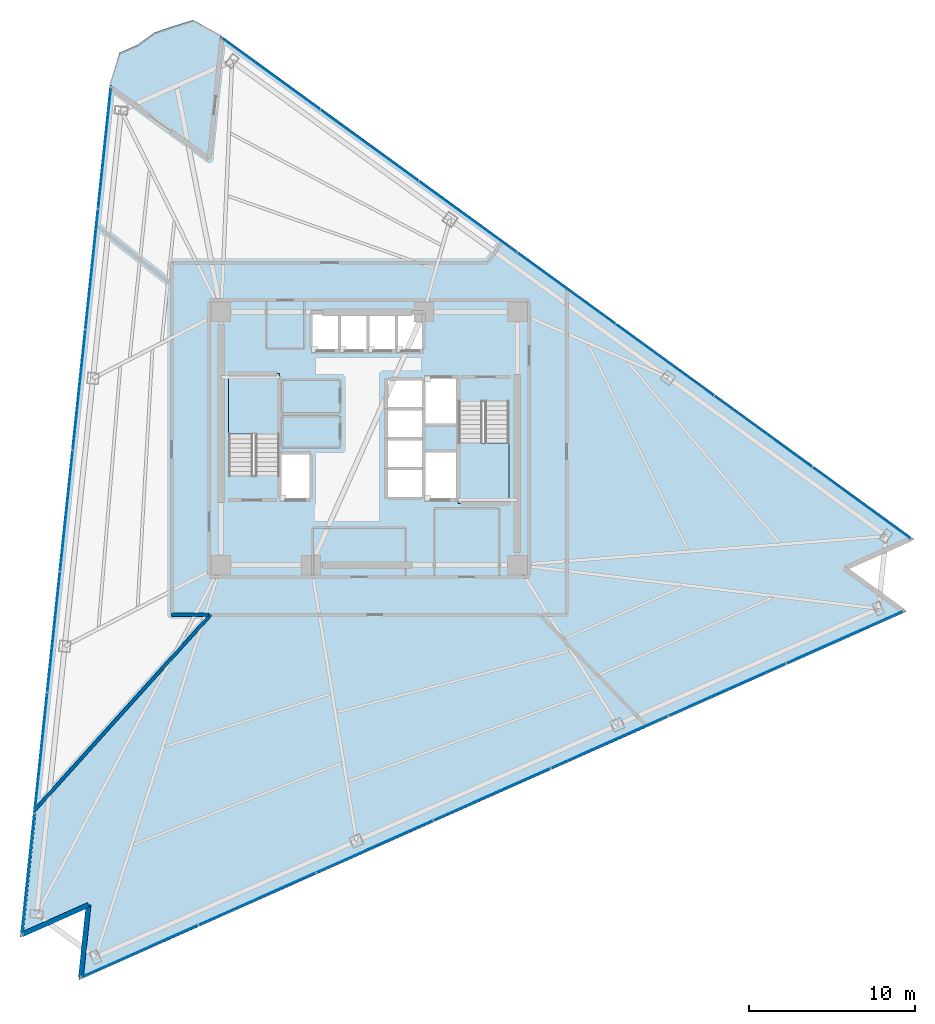
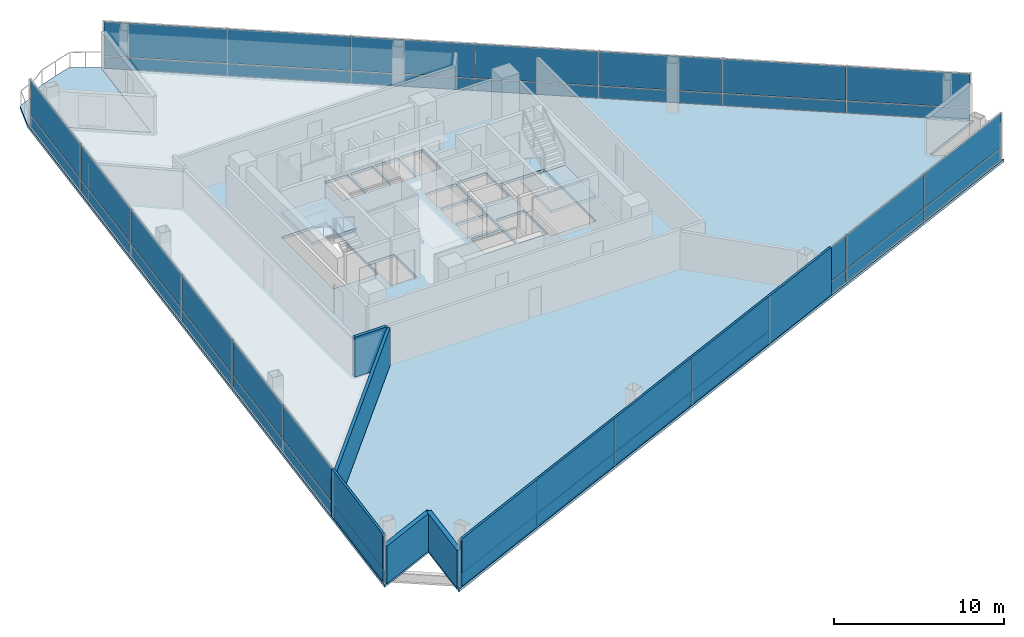
# One storey, part 10 of 16: 42 plates, 6 walls, 4 slabs, 5 elements without a shape of their own.
"""IFC4 building model written with IfcOpenShell, lengths in metres."""

from ifc_helpers import new_model, si_unit, direction, frame, frame_2d, origin, origin_2d, place, context, subcontext, project, spatial, polyline, rectangle, outline, extrude, material, layer, layer_set, type_object, element, aggregate, save


model = new_model("IFC4")

# Units and contexts
model_context = context("Model", 3, precision=1e-05, world=origin(), true_north=direction((0.0, 1.0)))
body_context = subcontext(model_context, "Body", "Model", "MODEL_VIEW")
ifc_project = project(units=[si_unit("LENGTHUNIT", "METRE"), si_unit("AREAUNIT", "SQUARE_METRE"), si_unit("VOLUMEUNIT", "CUBIC_METRE"), si_unit("PLANEANGLEUNIT", "RADIAN"), si_unit("MASSUNIT", "GRAM", prefix="KILO")], contexts=[model_context])

# Site, building, storey
site_placement = place(None, origin())
site = spatial("IfcSite", under=ifc_project, at=site_placement, CompositionType="ELEMENT")
building_placement = place(site_placement, origin())
building = spatial("IfcBuilding", under=site, at=building_placement, Name="Tharavind Bronze Gate", CompositionType="ELEMENT")
storey_placement = place(building_placement, frame((0.0, 0.0, 123.25)))
storey = spatial("IfcBuildingStorey", under=building, at=storey_placement, Name="L31", CompositionType="ELEMENT", Elevation=123.25)

# Curtain wall, plates
ifc_material_1 = material(Name="Anodised Bronze Aluminium", Category="aluminium")
ifc_layer_1 = layer(ifc_material_1, 0.219970703125)
ifc_layer_set_1 = layer_set([ifc_layer_1], Name="Anodised Bronze Aluminium")
curtain_wall_type = type_object("IfcCurtainWallType", Name="UNITISED CURTAIN WALL LOWER OFFICE", PredefinedType="USERDEFINED", material=ifc_layer_set_1)
curtain_wall_1_placement = place(storey_placement, origin())
curtain_wall_1 = element("IfcCurtainWall", 1, at=curtain_wall_1_placement, inside=storey, type_object=curtain_wall_type, Name="L31 unitised curtain wall lower office CW-L31-S1", ObjectType="UNITISED CURTAIN WALL", PredefinedType="USERDEFINED")
ifc_material_2 = material(Name="Patinated Bronze Alloy Sheet", Category="bronze")
ifc_layer_2 = layer(ifc_material_2, 0.01611328125)
ifc_layer_set_2 = layer_set([ifc_layer_2], Name="Patinated Bronze Alloy Sheet")
plate_type_1 = type_object("IfcPlateType", Name="BRONZE SPANDREL CLADDING PANEL 16", PredefinedType="CURTAIN_PANEL", material=ifc_layer_set_2)
plate_1_placement = place(storey_placement, frame((-15.909912109375, 17.465087890625, 0.0263671875), z_axis=(0.0, 0.0, 1.0), x_axis=(-0.104526727499, -0.994522077803, 0.0)))
plate_1 = element("IfcPlate", 2, at=plate_1_placement, type_object=plate_type_1, Name="CW-L31-S1 bronze spandrel panel 1", PredefinedType="CURTAIN_PANEL", context=body_context, shape_type="SweptSolid", body=[
    extrude(rectangle(XDim=7.26025390625, YDim=0.01611328125, at=origin_2d()), origin(), (0.0, 0.0, 1.0), 0.846923828125),
])
plate_2_placement = place(storey_placement, frame((-16.67431640625, 10.19189453125, 0.0263671875), z_axis=(0.0, 0.0, 1.0), x_axis=(-0.104526727499, -0.994522077803, 0.0)))
plate_2 = element("IfcPlate", 3, at=plate_2_placement, type_object=plate_type_1, Name="CW-L31-S1 bronze spandrel panel 2", PredefinedType="CURTAIN_PANEL", context=body_context, shape_type="SweptSolid", body=[
    extrude(rectangle(XDim=7.26025390625, YDim=0.01611328125, at=origin_2d()), origin(), (0.0, 0.0, 1.0), 0.846923828125),
])
plate_3_placement = place(storey_placement, frame((-17.438720703125, 2.91845703125, 0.0263671875), z_axis=(0.0, 0.0, 1.0), x_axis=(-0.104526727499, -0.994522077803, 0.0)))
plate_3 = element("IfcPlate", 4, at=plate_3_placement, type_object=plate_type_1, Name="CW-L31-S1 bronze spandrel panel 3", PredefinedType="CURTAIN_PANEL", context=body_context, shape_type="SweptSolid", body=[
    extrude(rectangle(XDim=7.26025390625, YDim=0.01611328125, at=origin_2d()), origin(), (0.0, 0.0, 1.0), 0.846923828125),
])
plate_4_placement = place(storey_placement, frame((-18.203125, -4.354736328125, 0.0263671875), z_axis=(0.0, 0.0, 1.0), x_axis=(-0.104526727499, -0.994522077803, 0.0)))
plate_4 = element("IfcPlate", 5, at=plate_4_placement, type_object=plate_type_1, Name="CW-L31-S1 bronze spandrel panel 4", PredefinedType="CURTAIN_PANEL", context=body_context, shape_type="SweptSolid", body=[
    extrude(rectangle(XDim=7.26025390625, YDim=0.01611328125, at=origin_2d()), origin(), (0.0, 0.0, 1.0), 0.846923828125),
])
plate_5_placement = place(storey_placement, frame((-18.967529296875, -11.628173828125, 0.0263671875), z_axis=(0.0, 0.0, 1.0), x_axis=(-0.104526727499, -0.994522077803, 0.0)))
plate_5 = element("IfcPlate", 6, at=plate_5_placement, type_object=plate_type_1, Name="CW-L31-S1 bronze spandrel panel 5", PredefinedType="CURTAIN_PANEL", context=body_context, shape_type="SweptSolid", body=[
    extrude(rectangle(XDim=7.26025390625, YDim=0.01611328125, at=origin_2d()), origin(), (0.0, 0.0, 1.0), 0.846923828125),
])
plate_6_placement = place(storey_placement, frame((-19.73193359375, -18.9013671875, 0.0263671875), z_axis=(0.0, 0.0, 1.0), x_axis=(-0.104526727499, -0.994522077803, 0.0)))
plate_6 = element("IfcPlate", 7, at=plate_6_placement, type_object=plate_type_1, Name="CW-L31-S1 bronze spandrel panel 6", PredefinedType="CURTAIN_PANEL", context=body_context, shape_type="SweptSolid", body=[
    extrude(rectangle(XDim=7.26025390625, YDim=0.01611328125, at=origin_2d()), origin(), (0.0, 0.0, 1.0), 0.846923828125),
])
plate_7_placement = place(storey_placement, frame((-20.49658203125, -26.1748046875, 0.0263671875), z_axis=(0.0, 0.0, 1.0), x_axis=(-0.104526727499, -0.994522077803, 0.0)))
plate_7 = element("IfcPlate", 8, at=plate_7_placement, type_object=plate_type_1, Name="CW-L31-S1 bronze spandrel panel 7", PredefinedType="CURTAIN_PANEL", context=body_context, shape_type="SweptSolid", body=[
    extrude(rectangle(XDim=7.26025390625, YDim=0.01611328125, at=origin_2d()), origin(), (0.0, 0.0, 1.0), 0.846923828125),
])

curtain_wall_2_placement = place(storey_placement, origin())
curtain_wall_2 = element("IfcCurtainWall", 9, at=curtain_wall_2_placement, inside=storey, type_object=curtain_wall_type, Name="L31 unitised curtain wall lower office CW-L31-S2", ObjectType="UNITISED CURTAIN WALL", PredefinedType="USERDEFINED")
plate_8_placement = place(storey_placement, frame((-13.80419921875, -30.813720703125, 0.0263671875), z_axis=(0.0, 0.0, 1.0), x_axis=(0.913545457643, 0.406736643076, 0.0)))
plate_8 = element("IfcPlate", 10, at=plate_8_placement, type_object=plate_type_1, Name="CW-L31-S2 bronze spandrel panel 1", PredefinedType="CURTAIN_PANEL", context=body_context, shape_type="SweptSolid", body=[
    extrude(rectangle(XDim=7.677490234375, YDim=0.01611328125, at=origin_2d()), origin(), (0.0, 0.0, 1.0), 0.846923828125),
])
plate_9_placement = place(storey_placement, frame((-6.741943359375, -27.66943359375, 0.0263671875), z_axis=(0.0, 0.0, 1.0), x_axis=(0.913545457643, 0.406736643076, 0.0)))
plate_9 = element("IfcPlate", 11, at=plate_9_placement, type_object=plate_type_1, Name="CW-L31-S2 bronze spandrel panel 2", PredefinedType="CURTAIN_PANEL", context=body_context, shape_type="SweptSolid", body=[
    extrude(rectangle(XDim=7.677490234375, YDim=0.01611328125, at=origin_2d()), origin(), (0.0, 0.0, 1.0), 0.846923828125),
])
plate_10_placement = place(storey_placement, frame((0.3203125, -24.525146484375, 0.0263671875), z_axis=(0.0, 0.0, 1.0), x_axis=(0.913545457643, 0.406736643076, 0.0)))
plate_10 = element("IfcPlate", 12, at=plate_10_placement, type_object=plate_type_1, Name="CW-L31-S2 bronze spandrel panel 3", PredefinedType="CURTAIN_PANEL", context=body_context, shape_type="SweptSolid", body=[
    extrude(rectangle(XDim=7.677490234375, YDim=0.01611328125, at=origin_2d()), origin(), (0.0, 0.0, 1.0), 0.846923828125),
])
plate_11_placement = place(storey_placement, frame((7.38232421875, -21.380859375, 0.0263671875), z_axis=(0.0, 0.0, 1.0), x_axis=(0.913545457643, 0.406736643076, 0.0)))
plate_11 = element("IfcPlate", 13, at=plate_11_placement, type_object=plate_type_1, Name="CW-L31-S2 bronze spandrel panel 4", PredefinedType="CURTAIN_PANEL", context=body_context, shape_type="SweptSolid", body=[
    extrude(rectangle(XDim=7.677490234375, YDim=0.01611328125, at=origin_2d()), origin(), (0.0, 0.0, 1.0), 0.846923828125),
])
plate_12_placement = place(storey_placement, frame((14.4443359375, -18.236572265625, 0.0263671875), z_axis=(0.0, 0.0, 1.0), x_axis=(0.913545457643, 0.406736643076, 0.0)))
plate_12 = element("IfcPlate", 14, at=plate_12_placement, type_object=plate_type_1, Name="CW-L31-S2 bronze spandrel panel 5", PredefinedType="CURTAIN_PANEL", context=body_context, shape_type="SweptSolid", body=[
    extrude(rectangle(XDim=7.677490234375, YDim=0.01611328125, at=origin_2d()), origin(), (0.0, 0.0, 1.0), 0.846923828125),
])
plate_13_placement = place(storey_placement, frame((21.506591796875, -15.09228515625, 0.0263671875), z_axis=(0.0, 0.0, 1.0), x_axis=(0.913545457643, 0.406736643076, 0.0)))
plate_13 = element("IfcPlate", 15, at=plate_13_placement, type_object=plate_type_1, Name="CW-L31-S2 bronze spandrel panel 6", PredefinedType="CURTAIN_PANEL", context=body_context, shape_type="SweptSolid", body=[
    extrude(rectangle(XDim=7.677490234375, YDim=0.01611328125, at=origin_2d()), origin(), (0.0, 0.0, 1.0), 0.846923828125),
])
plate_14_placement = place(storey_placement, frame((28.568603515625, -11.947998046875, 0.0263671875), z_axis=(0.0, 0.0, 1.0), x_axis=(0.913545457643, 0.406736643076, 0.0)))
plate_14 = element("IfcPlate", 16, at=plate_14_placement, type_object=plate_type_1, Name="CW-L31-S2 bronze spandrel panel 7", PredefinedType="CURTAIN_PANEL", context=body_context, shape_type="SweptSolid", body=[
    extrude(rectangle(XDim=7.677490234375, YDim=0.01611328125, at=origin_2d()), origin(), (0.0, 0.0, 1.0), 0.846923828125),
])

curtain_wall_3_placement = place(storey_placement, origin())
curtain_wall_3 = element("IfcCurtainWall", 17, at=curtain_wall_3_placement, inside=storey, type_object=curtain_wall_type, Name="L31 unitised curtain wall lower office CW-L31-S3", ObjectType="UNITISED CURTAIN WALL", PredefinedType="USERDEFINED")
plate_15_placement = place(storey_placement, frame((29.599365234375, -3.87060546875, 0.0263671875), z_axis=(0.0, 0.0, 1.0), x_axis=(-0.809016994375, 0.587785252292, 0.0)))
plate_15 = element("IfcPlate", 18, at=plate_15_placement, type_object=plate_type_1, Name="CW-L31-S3 bronze spandrel panel 1", PredefinedType="CURTAIN_PANEL", context=body_context, shape_type="SweptSolid", body=[
    extrude(rectangle(XDim=7.260498046875, YDim=0.01611328125, at=origin_2d()), origin(), (0.0, 0.0, 1.0), 0.846923828125),
])
plate_16_placement = place(storey_placement, frame((23.6826171875, 0.427978515625, 0.0263671875), z_axis=(0.0, 0.0, 1.0), x_axis=(-0.809016994375, 0.587785252292, 0.0)))
plate_16 = element("IfcPlate", 19, at=plate_16_placement, type_object=plate_type_1, Name="CW-L31-S3 bronze spandrel panel 2", PredefinedType="CURTAIN_PANEL", context=body_context, shape_type="SweptSolid", body=[
    extrude(rectangle(XDim=7.260498046875, YDim=0.01611328125, at=origin_2d()), origin(), (0.0, 0.0, 1.0), 0.846923828125),
])
plate_17_placement = place(storey_placement, frame((17.76611328125, 4.726806640625, 0.0263671875), z_axis=(0.0, 0.0, 1.0), x_axis=(-0.809016994375, 0.587785252292, 0.0)))
plate_17 = element("IfcPlate", 20, at=plate_17_placement, type_object=plate_type_1, Name="CW-L31-S3 bronze spandrel panel 3", PredefinedType="CURTAIN_PANEL", context=body_context, shape_type="SweptSolid", body=[
    extrude(rectangle(XDim=7.260498046875, YDim=0.01611328125, at=origin_2d()), origin(), (0.0, 0.0, 1.0), 0.846923828125),
])
plate_18_placement = place(storey_placement, frame((11.849365234375, 9.025390625, 0.0263671875), z_axis=(0.0, 0.0, 1.0), x_axis=(-0.809016994375, 0.587785252292, 0.0)))
plate_18 = element("IfcPlate", 21, at=plate_18_placement, type_object=plate_type_1, Name="CW-L31-S3 bronze spandrel panel 4", PredefinedType="CURTAIN_PANEL", context=body_context, shape_type="SweptSolid", body=[
    extrude(rectangle(XDim=7.260498046875, YDim=0.01611328125, at=origin_2d()), origin(), (0.0, 0.0, 1.0), 0.846923828125),
])
plate_19_placement = place(storey_placement, frame((5.932861328125, 13.32421875, 0.0263671875), z_axis=(0.0, 0.0, 1.0), x_axis=(-0.809016994375, 0.587785252292, 0.0)))
plate_19 = element("IfcPlate", 22, at=plate_19_placement, type_object=plate_type_1, Name="CW-L31-S3 bronze spandrel panel 5", PredefinedType="CURTAIN_PANEL", context=body_context, shape_type="SweptSolid", body=[
    extrude(rectangle(XDim=7.260498046875, YDim=0.01611328125, at=origin_2d()), origin(), (0.0, 0.0, 1.0), 0.846923828125),
])
plate_20_placement = place(storey_placement, frame((0.01611328125, 17.622802734375, 0.0263671875), z_axis=(0.0, 0.0, 1.0), x_axis=(-0.809016994375, 0.587785252292, 0.0)))
plate_20 = element("IfcPlate", 23, at=plate_20_placement, type_object=plate_type_1, Name="CW-L31-S3 bronze spandrel panel 6", PredefinedType="CURTAIN_PANEL", context=body_context, shape_type="SweptSolid", body=[
    extrude(rectangle(XDim=7.260498046875, YDim=0.01611328125, at=origin_2d()), origin(), (0.0, 0.0, 1.0), 0.846923828125),
])
plate_21_placement = place(storey_placement, frame((-5.900390625, 21.921630859375, 0.0263671875), z_axis=(0.0, 0.0, 1.0), x_axis=(-0.809016994375, 0.587785252292, 0.0)))
plate_21 = element("IfcPlate", 24, at=plate_21_placement, type_object=plate_type_1, Name="CW-L31-S3 bronze spandrel panel 7", PredefinedType="CURTAIN_PANEL", context=body_context, shape_type="SweptSolid", body=[
    extrude(rectangle(XDim=7.260498046875, YDim=0.01611328125, at=origin_2d()), origin(), (0.0, 0.0, 1.0), 0.846923828125),
])

# Plate
ifc_material_3 = material(Name="Low-E Double Glazing", Category="glass")
ifc_layer_3 = layer(ifc_material_3, 0.031982421875)
ifc_layer_set_3 = layer_set([ifc_layer_3], Name="Low-E Double Glazing")
plate_type_2 = type_object("IfcPlateType", Name="DOUBLE GLAZED FACADE PANEL 32", PredefinedType="CURTAIN_PANEL", material=ifc_layer_set_3)
plate_22_placement = place(storey_placement, frame((-15.909912109375, 17.465087890625, 0.926513671875), z_axis=(0.0, 0.0, 1.0), x_axis=(-0.104526727499, -0.994522077803, 0.0)))
plate_22 = element("IfcPlate", 25, at=plate_22_placement, type_object=plate_type_2, Name="CW-L31-S1 vision glazing panel 1", PredefinedType="CURTAIN_PANEL", context=body_context, shape_type="SweptSolid", body=[
    extrude(rectangle(XDim=7.26025390625, YDim=0.031982421875, at=origin_2d()), origin(), (0.0, 0.0, 1.0), 2.45703125),
])

plate_23_placement = place(storey_placement, frame((-16.67431640625, 10.19189453125, 0.926513671875), z_axis=(0.0, 0.0, 1.0), x_axis=(-0.104526727499, -0.994522077803, 0.0)))
plate_23 = element("IfcPlate", 26, at=plate_23_placement, type_object=plate_type_2, Name="CW-L31-S1 vision glazing panel 2", PredefinedType="CURTAIN_PANEL", context=body_context, shape_type="SweptSolid", body=[
    extrude(rectangle(XDim=7.26025390625, YDim=0.031982421875, at=origin_2d()), origin(), (0.0, 0.0, 1.0), 2.45703125),
])

plate_24_placement = place(storey_placement, frame((-17.438720703125, 2.91845703125, 0.926513671875), z_axis=(0.0, 0.0, 1.0), x_axis=(-0.104526727499, -0.994522077803, 0.0)))
plate_24 = element("IfcPlate", 27, at=plate_24_placement, type_object=plate_type_2, Name="CW-L31-S1 vision glazing panel 3", PredefinedType="CURTAIN_PANEL", context=body_context, shape_type="SweptSolid", body=[
    extrude(rectangle(XDim=7.26025390625, YDim=0.031982421875, at=origin_2d()), origin(), (0.0, 0.0, 1.0), 2.45703125),
])

plate_25_placement = place(storey_placement, frame((-18.203125, -4.354736328125, 0.926513671875), z_axis=(0.0, 0.0, 1.0), x_axis=(-0.104526727499, -0.994522077803, 0.0)))
plate_25 = element("IfcPlate", 28, at=plate_25_placement, type_object=plate_type_2, Name="CW-L31-S1 vision glazing panel 4", PredefinedType="CURTAIN_PANEL", context=body_context, shape_type="SweptSolid", body=[
    extrude(rectangle(XDim=7.26025390625, YDim=0.031982421875, at=origin_2d()), origin(), (0.0, 0.0, 1.0), 2.45703125),
])

plate_26_placement = place(storey_placement, frame((-18.967529296875, -11.628173828125, 0.926513671875), z_axis=(0.0, 0.0, 1.0), x_axis=(-0.104526727499, -0.994522077803, 0.0)))
plate_26 = element("IfcPlate", 29, at=plate_26_placement, type_object=plate_type_2, Name="CW-L31-S1 vision glazing panel 5", PredefinedType="CURTAIN_PANEL", context=body_context, shape_type="SweptSolid", body=[
    extrude(rectangle(XDim=7.26025390625, YDim=0.031982421875, at=origin_2d()), origin(), (0.0, 0.0, 1.0), 2.45703125),
])

plate_27_placement = place(storey_placement, frame((-19.73193359375, -18.9013671875, 0.926513671875), z_axis=(0.0, 0.0, 1.0), x_axis=(-0.104526727499, -0.994522077803, 0.0)))
plate_27 = element("IfcPlate", 30, at=plate_27_placement, type_object=plate_type_2, Name="CW-L31-S1 vision glazing panel 6", PredefinedType="CURTAIN_PANEL", context=body_context, shape_type="SweptSolid", body=[
    extrude(rectangle(XDim=7.26025390625, YDim=0.031982421875, at=origin_2d()), origin(), (0.0, 0.0, 1.0), 2.45703125),
])

plate_28_placement = place(storey_placement, frame((-20.49658203125, -26.1748046875, 0.926513671875), z_axis=(0.0, 0.0, 1.0), x_axis=(-0.104526727499, -0.994522077803, 0.0)))
plate_28 = element("IfcPlate", 31, at=plate_28_placement, type_object=plate_type_2, Name="CW-L31-S1 vision glazing panel 7", PredefinedType="CURTAIN_PANEL", context=body_context, shape_type="SweptSolid", body=[
    extrude(rectangle(XDim=7.26025390625, YDim=0.031982421875, at=origin_2d()), origin(), (0.0, 0.0, 1.0), 2.45703125),
])

aggregate(curtain_wall_1, [plate_1, plate_22, plate_2, plate_23, plate_3, plate_24, plate_4, plate_25, plate_5, plate_26, plate_6, plate_27, plate_7, plate_28])

plate_29_placement = place(storey_placement, frame((-13.80419921875, -30.813720703125, 0.926513671875), z_axis=(0.0, 0.0, 1.0), x_axis=(0.913545457643, 0.406736643076, 0.0)))
plate_29 = element("IfcPlate", 32, at=plate_29_placement, type_object=plate_type_2, Name="CW-L31-S2 vision glazing panel 1", PredefinedType="CURTAIN_PANEL", context=body_context, shape_type="SweptSolid", body=[
    extrude(rectangle(XDim=7.677490234375, YDim=0.031982421875, at=origin_2d()), origin(), (0.0, 0.0, 1.0), 2.45703125),
])

plate_30_placement = place(storey_placement, frame((-6.741943359375, -27.66943359375, 0.926513671875), z_axis=(0.0, 0.0, 1.0), x_axis=(0.913545457643, 0.406736643076, 0.0)))
plate_30 = element("IfcPlate", 33, at=plate_30_placement, type_object=plate_type_2, Name="CW-L31-S2 vision glazing panel 2", PredefinedType="CURTAIN_PANEL", context=body_context, shape_type="SweptSolid", body=[
    extrude(rectangle(XDim=7.677490234375, YDim=0.031982421875, at=origin_2d()), origin(), (0.0, 0.0, 1.0), 2.45703125),
])

plate_31_placement = place(storey_placement, frame((0.3203125, -24.525146484375, 0.926513671875), z_axis=(0.0, 0.0, 1.0), x_axis=(0.913545457643, 0.406736643076, 0.0)))
plate_31 = element("IfcPlate", 34, at=plate_31_placement, type_object=plate_type_2, Name="CW-L31-S2 vision glazing panel 3", PredefinedType="CURTAIN_PANEL", context=body_context, shape_type="SweptSolid", body=[
    extrude(rectangle(XDim=7.677490234375, YDim=0.031982421875, at=origin_2d()), origin(), (0.0, 0.0, 1.0), 2.45703125),
])

plate_32_placement = place(storey_placement, frame((7.38232421875, -21.380859375, 0.926513671875), z_axis=(0.0, 0.0, 1.0), x_axis=(0.913545457643, 0.406736643076, 0.0)))
plate_32 = element("IfcPlate", 35, at=plate_32_placement, type_object=plate_type_2, Name="CW-L31-S2 vision glazing panel 4", PredefinedType="CURTAIN_PANEL", context=body_context, shape_type="SweptSolid", body=[
    extrude(rectangle(XDim=7.677490234375, YDim=0.031982421875, at=origin_2d()), origin(), (0.0, 0.0, 1.0), 2.45703125),
])

plate_33_placement = place(storey_placement, frame((14.4443359375, -18.236572265625, 0.926513671875), z_axis=(0.0, 0.0, 1.0), x_axis=(0.913545457643, 0.406736643076, 0.0)))
plate_33 = element("IfcPlate", 36, at=plate_33_placement, type_object=plate_type_2, Name="CW-L31-S2 vision glazing panel 5", PredefinedType="CURTAIN_PANEL", context=body_context, shape_type="SweptSolid", body=[
    extrude(rectangle(XDim=7.677490234375, YDim=0.031982421875, at=origin_2d()), origin(), (0.0, 0.0, 1.0), 2.45703125),
])

plate_34_placement = place(storey_placement, frame((21.506591796875, -15.09228515625, 0.926513671875), z_axis=(0.0, 0.0, 1.0), x_axis=(0.913545457643, 0.406736643076, 0.0)))
plate_34 = element("IfcPlate", 37, at=plate_34_placement, type_object=plate_type_2, Name="CW-L31-S2 vision glazing panel 6", PredefinedType="CURTAIN_PANEL", context=body_context, shape_type="SweptSolid", body=[
    extrude(rectangle(XDim=7.677490234375, YDim=0.031982421875, at=origin_2d()), origin(), (0.0, 0.0, 1.0), 2.45703125),
])

plate_35_placement = place(storey_placement, frame((28.568603515625, -11.947998046875, 0.926513671875), z_axis=(0.0, 0.0, 1.0), x_axis=(0.913545457643, 0.406736643076, 0.0)))
plate_35 = element("IfcPlate", 38, at=plate_35_placement, type_object=plate_type_2, Name="CW-L31-S2 vision glazing panel 7", PredefinedType="CURTAIN_PANEL", context=body_context, shape_type="SweptSolid", body=[
    extrude(rectangle(XDim=7.677490234375, YDim=0.031982421875, at=origin_2d()), origin(), (0.0, 0.0, 1.0), 2.45703125),
])

aggregate(curtain_wall_2, [plate_8, plate_29, plate_9, plate_30, plate_10, plate_31, plate_11, plate_32, plate_12, plate_33, plate_13, plate_34, plate_14, plate_35])

plate_36_placement = place(storey_placement, frame((29.599365234375, -3.87060546875, 0.926513671875), z_axis=(0.0, 0.0, 1.0), x_axis=(-0.809016994375, 0.587785252292, 0.0)))
plate_36 = element("IfcPlate", 39, at=plate_36_placement, type_object=plate_type_2, Name="CW-L31-S3 vision glazing panel 1", PredefinedType="CURTAIN_PANEL", context=body_context, shape_type="SweptSolid", body=[
    extrude(rectangle(XDim=7.260498046875, YDim=0.031982421875, at=origin_2d()), origin(), (0.0, 0.0, 1.0), 2.45703125),
])

plate_37_placement = place(storey_placement, frame((23.6826171875, 0.427978515625, 0.926513671875), z_axis=(0.0, 0.0, 1.0), x_axis=(-0.809016994375, 0.587785252292, 0.0)))
plate_37 = element("IfcPlate", 40, at=plate_37_placement, type_object=plate_type_2, Name="CW-L31-S3 vision glazing panel 2", PredefinedType="CURTAIN_PANEL", context=body_context, shape_type="SweptSolid", body=[
    extrude(rectangle(XDim=7.260498046875, YDim=0.031982421875, at=origin_2d()), origin(), (0.0, 0.0, 1.0), 2.45703125),
])

plate_38_placement = place(storey_placement, frame((17.76611328125, 4.726806640625, 0.926513671875), z_axis=(0.0, 0.0, 1.0), x_axis=(-0.809016994375, 0.587785252292, 0.0)))
plate_38 = element("IfcPlate", 41, at=plate_38_placement, type_object=plate_type_2, Name="CW-L31-S3 vision glazing panel 3", PredefinedType="CURTAIN_PANEL", context=body_context, shape_type="SweptSolid", body=[
    extrude(rectangle(XDim=7.260498046875, YDim=0.031982421875, at=origin_2d()), origin(), (0.0, 0.0, 1.0), 2.45703125),
])

plate_39_placement = place(storey_placement, frame((11.849365234375, 9.025390625, 0.926513671875), z_axis=(0.0, 0.0, 1.0), x_axis=(-0.809016994375, 0.587785252292, 0.0)))
plate_39 = element("IfcPlate", 42, at=plate_39_placement, type_object=plate_type_2, Name="CW-L31-S3 vision glazing panel 4", PredefinedType="CURTAIN_PANEL", context=body_context, shape_type="SweptSolid", body=[
    extrude(rectangle(XDim=7.260498046875, YDim=0.031982421875, at=origin_2d()), origin(), (0.0, 0.0, 1.0), 2.45703125),
])

plate_40_placement = place(storey_placement, frame((5.932861328125, 13.32421875, 0.926513671875), z_axis=(0.0, 0.0, 1.0), x_axis=(-0.809016994375, 0.587785252292, 0.0)))
plate_40 = element("IfcPlate", 43, at=plate_40_placement, type_object=plate_type_2, Name="CW-L31-S3 vision glazing panel 5", PredefinedType="CURTAIN_PANEL", context=body_context, shape_type="SweptSolid", body=[
    extrude(rectangle(XDim=7.260498046875, YDim=0.031982421875, at=origin_2d()), origin(), (0.0, 0.0, 1.0), 2.45703125),
])

plate_41_placement = place(storey_placement, frame((0.01611328125, 17.622802734375, 0.926513671875), z_axis=(0.0, 0.0, 1.0), x_axis=(-0.809016994375, 0.587785252292, 0.0)))
plate_41 = element("IfcPlate", 44, at=plate_41_placement, type_object=plate_type_2, Name="CW-L31-S3 vision glazing panel 6", PredefinedType="CURTAIN_PANEL", context=body_context, shape_type="SweptSolid", body=[
    extrude(rectangle(XDim=7.260498046875, YDim=0.031982421875, at=origin_2d()), origin(), (0.0, 0.0, 1.0), 2.45703125),
])

plate_42_placement = place(storey_placement, frame((-5.900390625, 21.921630859375, 0.926513671875), z_axis=(0.0, 0.0, 1.0), x_axis=(-0.809016994375, 0.587785252292, 0.0)))
plate_42 = element("IfcPlate", 45, at=plate_42_placement, type_object=plate_type_2, Name="CW-L31-S3 vision glazing panel 7", PredefinedType="CURTAIN_PANEL", context=body_context, shape_type="SweptSolid", body=[
    extrude(rectangle(XDim=7.260498046875, YDim=0.031982421875, at=origin_2d()), origin(), (0.0, 0.0, 1.0), 2.45703125),
])

aggregate(curtain_wall_3, [plate_15, plate_36, plate_16, plate_37, plate_17, plate_38, plate_18, plate_39, plate_19, plate_40, plate_20, plate_41, plate_21, plate_42])

# Slab
ifc_material_4 = material(Name="Concrete C40/50", Category="concrete")
ifc_layer_4 = layer(ifc_material_4, 0.179931640625)
ifc_layer_set_4 = layer_set([ifc_layer_4], Name="Concrete C40/50")
slab_type_1 = type_object("IfcSlabType", Name="EXTERIOR BALCONY SLAB 180", PredefinedType="FLOOR", material=ifc_layer_set_4)
slab_1_placement = place(storey_placement, frame((0.0, 0.0, -0.179931640625)))
element("IfcSlab", 46, at=slab_1_placement, inside=storey, type_object=slab_type_1, Name="L31 northeast tree balcony slab", PredefinedType="FLOOR", context=body_context, shape_type="SweptSolid", body=[
    extrude(outline(polyline([(-10.579833984375, 25.165283203125), (-11.75146484375, 24.8056640625), (-12.90869140625, 24.413330078125), (-13.914306640625, 23.680908203125), (-15.02587890625, 23.18603515625), (-15.60888671875, 21.284423828125), (-9.703125, 16.99365234375), (-8.940185546875, 24.253662109375), (-10.579833984375, 25.165283203125)])), origin(), (0.0, 0.0, 1.0), 0.179931640625),
])

# Stair, slab
stair_type = type_object("IfcStairType", Name="CORE HALF TURN STAIR 1450", PredefinedType="HALF_TURN_STAIR", material=ifc_material_4)
stair_1_placement = place(storey_placement, origin())
stair_1 = element("IfcStair", 47, at=stair_1_placement, inside=storey, type_object=stair_type, Name="L31 Protected Exit Stair ST1", PredefinedType="HALF_TURN_STAIR")
ifc_layer_5 = layer(ifc_material_4, 0.199951171875)
ifc_layer_set_5 = layer_set([ifc_layer_5], Name="Concrete C40/50")
slab_type_2 = type_object("IfcSlabType", Name="STAIR LANDING SLAB 200", PredefinedType="LANDING", material=ifc_layer_set_5)
slab_2_placement = place(storey_placement, frame((0.0, 0.0, 1.60009765625)))
slab_2 = element("IfcSlab", 48, at=slab_2_placement, type_object=slab_type_2, Name="ST1 landing 1", PredefinedType="LANDING", context=body_context, shape_type="SweptSolid", body=[
    extrude(outline(polyline([(-5.39990234375, 0.27001953125), (-5.39990234375, 3.89990234375), (-8.449951171875, 3.89990234375), (-8.449951171875, 0.27001953125), (-5.39990234375, 0.27001953125)])), origin(), (0.0, 0.0, 1.0), 0.199951171875),
])
aggregate(stair_1, [slab_2])

stair_2_placement = place(storey_placement, origin())
stair_2 = element("IfcStair", 49, at=stair_2_placement, inside=storey, type_object=stair_type, Name="L31 Protected Exit Stair ST2", PredefinedType="HALF_TURN_STAIR")
slab_3_placement = place(storey_placement, frame((0.0, 0.0, 1.60009765625)))
slab_3 = element("IfcSlab", 50, at=slab_3_placement, type_object=slab_type_2, Name="ST2 landing 1", PredefinedType="LANDING", context=body_context, shape_type="SweptSolid", body=[
    extrude(outline(polyline([(5.35009765625, -0.27001953125), (5.35009765625, -3.89990234375), (8.39990234375, -3.89990234375), (8.39990234375, -0.27001953125), (5.35009765625, -0.27001953125)])), origin(), (0.0, 0.0, 1.0), 0.199951171875),
])
aggregate(stair_2, [slab_3])

# Slab
ifc_layer_6 = layer(ifc_material_4, 0.18994140625)
ifc_layer_set_6 = layer_set([ifc_layer_6], Name="Concrete C40/50")
slab_type_3 = type_object("IfcSlabType", Name="STRUCTURAL FLOOR SLAB 190", PredefinedType="FLOOR", material=ifc_layer_set_6)
slab_4_placement = place(storey_placement, frame((0.0, 0.0, -0.18994140625)))
element("IfcSlab", 51, at=slab_4_placement, inside=storey, type_object=slab_type_3, Name="L31 main structural floor slab", PredefinedType="FLOOR", context=body_context, shape_type="SweptSolid", body=[
    extrude(outline(polyline([(-8.940185546875, 24.253662109375), (-9.703125, 16.99365234375), (-15.60888671875, 21.284423828125), (-20.996337890625, -29.97314453125), (-16.9951171875, -28.191650390625), (-17.452880859375, -32.547607421875), (32.298583984375, -10.396728515625), (28.755126953125, -7.822265625), (32.756591796875, -6.040771484375), (-8.940185546875, 24.253662109375)]), holes=[polyline([(-5.39990234375, -2.215087890625), (-5.39990234375, 3.89990234375), (-8.449951171875, 3.89990234375), (-8.449951171875, -2.215087890625), (-5.39990234375, -2.215087890625)]), polyline([(5.35009765625, 2.215087890625), (5.35009765625, -3.89990234375), (8.39990234375, -3.89990234375), (8.39990234375, 2.215087890625), (5.35009765625, 2.215087890625)]), polyline([(-3.419921875, 5.330078125), (-1.867431640625, 5.330078125), (-1.867431640625, 7.52001953125), (-3.419921875, 7.52001953125), (-3.419921875, 5.330078125)]), polyline([(-1.70751953125, 5.330078125), (-0.155029296875, 5.330078125), (-0.155029296875, 7.52001953125), (-1.70751953125, 7.52001953125), (-1.70751953125, 5.330078125)]), polyline([(0.0048828125, 5.330078125), (1.5576171875, 5.330078125), (1.5576171875, 7.52001953125), (0.0048828125, 7.52001953125), (0.0048828125, 5.330078125)]), polyline([(1.717529296875, 5.330078125), (3.199951171875, 5.330078125), (3.199951171875, 7.52001953125), (1.717529296875, 7.52001953125), (1.717529296875, 5.330078125)]), polyline([(1.080078125, -3.52001953125), (3.199951171875, -3.52001953125), (3.199951171875, -1.8798828125), (1.080078125, -1.8798828125), (1.080078125, -3.52001953125)]), polyline([(1.080078125, -1.719970703125), (3.199951171875, -1.719970703125), (3.199951171875, -0.080078125), (1.080078125, -0.080078125), (1.080078125, -1.719970703125)]), polyline([(1.080078125, 0.080078125), (3.199951171875, 0.080078125), (3.199951171875, 1.719970703125), (1.080078125, 1.719970703125), (1.080078125, 0.080078125)]), polyline([(1.080078125, 1.8798828125), (3.199951171875, 1.8798828125), (3.199951171875, 3.52001953125), (1.080078125, 3.52001953125), (1.080078125, 1.8798828125)]), polyline([(-5.320068359375, -3.6201171875), (-3.580078125, -3.6201171875), (-3.580078125, -0.929931640625), (-5.320068359375, -0.929931640625), (-5.320068359375, -3.6201171875)]), polyline([(3.360107421875, 0.8798828125), (5.27001953125, 0.8798828125), (5.27001953125, 3.6201171875), (3.360107421875, 3.6201171875), (3.360107421875, 0.8798828125)]), polyline([(3.360107421875, -3.6201171875), (5.27001953125, -3.6201171875), (5.27001953125, -0.830078125), (3.360107421875, -0.830078125), (3.360107421875, -3.6201171875)])]), origin(), (0.0, 0.0, 1.0), 0.18994140625),
])

# Walls
ifc_layer_7 = layer(ifc_material_4, 0.300048828125)
ifc_layer_set_7 = layer_set([ifc_layer_7], Name="Concrete C40/50")
wall_type_1 = type_object("IfcWallType", Name="EXTERIOR SPANDREL WALL 300", PredefinedType="STANDARD", material=ifc_layer_set_7)
for number, where, z_axis, x_axis, name in (
    (52, (-20.878662109375, -29.811279296875, 0.0), (0.0, 0.0, 1.0), (0.913542411385, 0.406743485013, 0.0), "L31 notch cheek wall 2A"),
    (53, (-16.87744140625, -28.02978515625, 0.0), (0.0, 0.0, 1.0), (-0.10451359066, -0.99452345843, 0.0), "L31 notch cheek wall 2B"),
):
    element("IfcWall", number, at=place(storey_placement, frame(where, z_axis=z_axis, x_axis=x_axis)), inside=storey, type_object=wall_type_1, Name=name, PredefinedType="STANDARD", context=body_context, shape_type="SweptSolid", body=[
        extrude(rectangle(XDim=4.3798828125, YDim=0.300048828125, at=frame_2d((2.18994140625, 0.0))), origin(), (0.0, 0.0, 1.0), 2.705078125),
    ])
ifc_material_5 = material(Name="Aerated Concrete Block", Category="concrete")
ifc_layer_8 = layer(ifc_material_5, 0.199951171875)
ifc_layer_set_8 = layer_set([ifc_layer_8], Name="Aerated Concrete Block")
wall_type_2 = type_object("IfcWallType", Name="FIRE RATED PARTITION 200", PredefinedType="PARTITIONING", material=ifc_layer_set_8)
wall_1_placement = place(storey_placement, frame((-20.085205078125, -22.306884765625, 0.0), z_axis=(0.0, 0.0, 1.0), x_axis=(0.66913493522, 0.743140927731, 0.0)))
element("IfcWall", 54, at=wall_1_placement, inside=storey, type_object=wall_type_2, Name="L31 Public Restrooms Block partition", PredefinedType="PARTITIONING", context=body_context, shape_type="SweptSolid", body=[
    extrude(rectangle(XDim=15.768798828125, YDim=0.199951171875, at=frame_2d((7.88427734375, 0.0))), origin(), (0.0, 0.0, 1.0), 2.705078125),
])
wall_2_placement = place(storey_placement, frame((-11.87939453125, -10.580078125, 0.0), z_axis=(0.0, 0.0, 1.0), x_axis=(1.0, 0.0, 0.0)))
element("IfcWall", 55, at=wall_2_placement, inside=storey, type_object=wall_type_2, Name="L31 Robotics Engineering Studio partition", PredefinedType="PARTITIONING", context=body_context, shape_type="SweptSolid", body=[
    extrude(rectangle(XDim=2.2119140625, YDim=0.199951171875, at=frame_2d((1.10595703125, 0.0))), origin(), (0.0, 0.0, 1.0), 2.85498046875),
])
ifc_material_6 = material(Name="Twin Stud Acoustic Gypsum", Category="gypsum")
ifc_layer_9 = layer(ifc_material_6, 0.14990234375)
ifc_layer_set_9 = layer_set([ifc_layer_9], Name="Twin Stud Acoustic Gypsum")
wall_type_3 = type_object("IfcWallType", Name="INTERIOR PARTITION WALL 150", PredefinedType="PARTITIONING", material=ifc_layer_set_9)
wall_3_placement = place(storey_placement, frame((-20.860107421875, -29.63330078125, 0.0), z_axis=(0.0, 0.0, 1.0), x_axis=(0.104558609425, 0.994518726418, 0.0)))
element("IfcWall", 56, at=wall_3_placement, inside=storey, type_object=wall_type_3, Name="L31 Public Restrooms Block partition", PredefinedType="PARTITIONING", context=body_context, shape_type="SweptSolid", body=[
    extrude(rectangle(XDim=7.352783203125, YDim=0.14990234375, at=frame_2d((3.67626953125, 0.0))), origin(), (0.0, 0.0, 1.0), 3.409912109375),
])
wall_4_placement = place(storey_placement, frame((16.556640625, -17.296142578125, 0.0), z_axis=(0.0, 0.0, 1.0), x_axis=(-0.913544936997, -0.406737812464, 0.0)))
element("IfcWall", 57, at=wall_4_placement, inside=storey, type_object=wall_type_3, Name="L31 Public Restrooms Block partition", PredefinedType="PARTITIONING", context=body_context, shape_type="SweptSolid", body=[
    extrude(rectangle(XDim=36.920166015625, YDim=0.14990234375, at=frame_2d((18.4599609375, 0.0))), origin(), (0.0, 0.0, 1.0), 3.409912109375),
])

save(model, "model.ifc")
